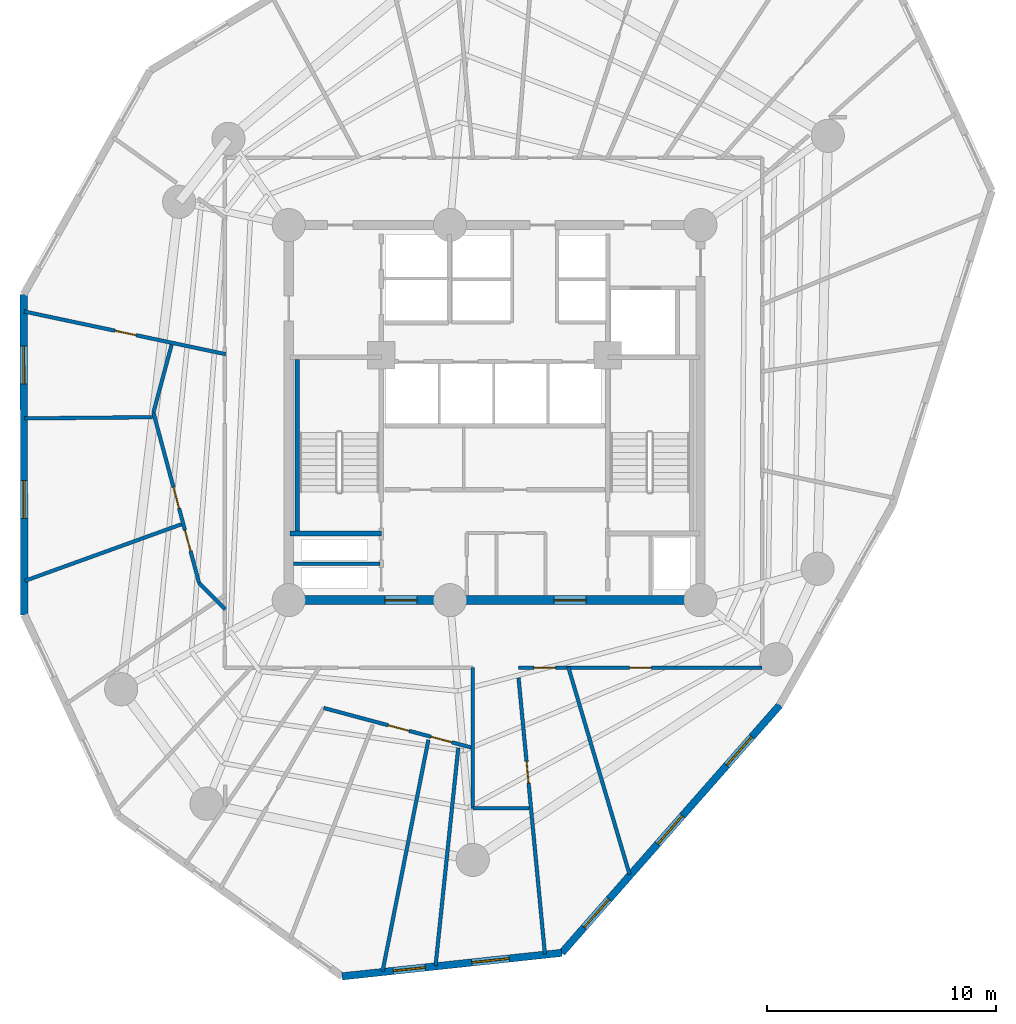
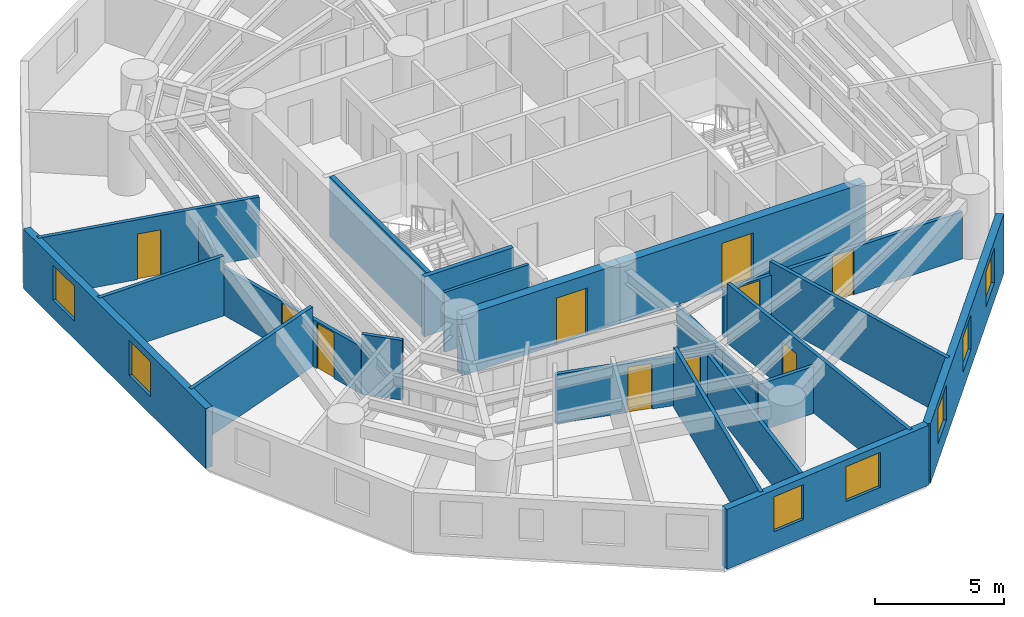
# One storey, part 3 of 8: 22 walls, 10 doors, 7 windows, 17 openings.
"""IFC4 building model written with IfcOpenShell, lengths in metres."""

from ifc_helpers import new_model, si_unit, direction, frame, frame_2d, origin, origin_with_axes, place, context, subcontext, project, spatial, rectangle, extrude, source, transform, mapped, material, layer, layer_set, type_object, element, fill, save


model = new_model("IFC4")

# Units and contexts
model_context = context("Model", 3, precision=1e-05, world=origin(), true_north=direction((0.0, 1.0)))
body_context = subcontext(model_context, "Body", "Model", "MODEL_VIEW")
ifc_project = project(units=[si_unit("LENGTHUNIT", "METRE"), si_unit("AREAUNIT", "SQUARE_METRE"), si_unit("VOLUMEUNIT", "CUBIC_METRE"), si_unit("PLANEANGLEUNIT", "RADIAN"), si_unit("MASSUNIT", "GRAM", prefix="KILO")], contexts=[model_context])

# Site, building, storey
site_placement = place(None, origin())
site = spatial("IfcSite", under=ifc_project, at=site_placement, CompositionType="ELEMENT")
building_placement = place(site_placement, origin())
building = spatial("IfcBuilding", under=site, at=building_placement, Name="Karkom Vertical University and Central Library", CompositionType="ELEMENT")
storey_placement = place(building_placement, frame((0.0, 0.0, 114.5)))
storey = spatial("IfcBuildingStorey", under=building, at=storey_placement, Name="L31", CompositionType="ELEMENT", Elevation=114.5)

# Wall, openings, windows
ifc_material_1 = material(Name="Brick-faced precast concrete C45/55", Category="masonry")
ifc_layer_1 = layer(ifc_material_1, 0.320068359375)
ifc_layer_set_1 = layer_set([ifc_layer_1], Name="Brick-faced precast concrete C45/55")
wall_type_1 = type_object("IfcWallType", Name="ENV-WL-BRK-320", PredefinedType="SOLIDWALL", material=ifc_layer_set_1)
wall_1_placement = place(storey_placement, frame((7.90869140625, 31.673095703125, 0.0), z_axis=(0.0, 0.0, 1.0), x_axis=(0.002160424256, -0.999997666281, 0.0)))
wall_1 = element("IfcWall", 1, at=wall_1_placement, inside=storey, type_object=wall_type_1, Name="Level 31 Brick-Faced Precast Facade Wall 02", PredefinedType="SOLIDWALL", context=body_context, shape_type="SweptSolid", body=[
    extrude(rectangle(XDim=14.0126953125, YDim=0.320068359375, at=frame_2d((7.00634765625, 0.0))), origin(), (0.0, 0.0, 1.0), 2.824951171875),
])
opening_1_placement = place(wall_1_placement, frame((2.268310546875, 0.0, 0.85009765625)))
opening_1 = element("IfcOpeningElement", 2, at=opening_1_placement, cuts=wall_1, Name="Opening WN-06", PredefinedType="OPENING", context=body_context, shape_type="SweptSolid", body=[
    extrude(rectangle(XDim=1.64990234375, YDim=1.64990234375, at=frame_2d((0.824951171875, 0.824951171875))), frame((0.0, 0.169921875, 0.0), z_axis=(0.0, -1.0, 0.0), x_axis=(1.0, 0.0, 0.0)), (0.0, 0.0, 1.0), 0.340087890625),
])
opening_2_placement = place(wall_1_placement, frame((8.146484375, 0.0, 0.85009765625)))
opening_2 = element("IfcOpeningElement", 3, at=opening_2_placement, cuts=wall_1, Name="Opening WN-06", PredefinedType="OPENING", context=body_context, shape_type="SweptSolid", body=[
    extrude(rectangle(XDim=1.64990234375, YDim=1.64990234375, at=frame_2d((0.824951171875, 0.824951171875))), frame((0.0, 0.169921875, 0.0), z_axis=(0.0, -1.0, 0.0), x_axis=(1.0, 0.0, 0.0)), (0.0, 0.0, 1.0), 0.340087890625),
])
ifc_material_2 = material(Name="Aluminium thermal-break frame with solar-control IGU", Category="aluminium")
window_type_1 = type_object("IfcWindowType", Name="ENV-WIN-WN-06", PartitioningType="SINGLE_PANEL", PredefinedType="WINDOW", material=ifc_material_2)
shared_shape_1 = source(origin_with_axes(), body_context, "Body", "SweptSolid", [
    extrude(rectangle(XDim=1.64990234375, YDim=1.64990234375, at=frame_2d((0.824951171875, 0.824951171875))), frame((0.0, 0.030029296875, 0.0), z_axis=(0.0, -1.0, 0.0), x_axis=(1.0, 0.0, 0.0)), (0.0, 0.0, 1.0), 0.06005859375),
])
window_1_placement = place(opening_1_placement, origin())
window_1 = element("IfcWindow", 4, at=window_1_placement, inside=storey, type_object=window_type_1, Name="Level 31 Punched Window 2.1", OverallHeight=1.64990234375, OverallWidth=1.64990234375, PartitioningType="SINGLE_PANEL", PredefinedType="WINDOW", context=body_context, shape_type="MappedRepresentation", body=[
    mapped(shared_shape_1, transform((0.0, 0.0, 0.0), scale=1.0)),
])
fill(opening_1, window_1)
window_2_placement = place(opening_2_placement, origin())
window_2 = element("IfcWindow", 5, at=window_2_placement, inside=storey, type_object=window_type_1, Name="Level 31 Punched Window 2.2", OverallHeight=1.64990234375, OverallWidth=1.64990234375, PartitioningType="SINGLE_PANEL", PredefinedType="WINDOW", context=body_context, shape_type="MappedRepresentation", body=[
    mapped(shared_shape_1, transform((0.0, 0.0, 0.0), scale=1.0)),
])
fill(opening_2, window_2)

wall_2_placement = place(storey_placement, frame((21.829345703125, 1.85009765625, 0.0), z_axis=(0.0, 0.0, 1.0), x_axis=(0.994341704726, 0.106228876691, 0.0)))
wall_2 = element("IfcWall", 6, at=wall_2_placement, inside=storey, type_object=wall_type_1, Name="Level 31 Brick-Faced Precast Facade Wall 05", PredefinedType="SOLIDWALL", context=body_context, shape_type="SweptSolid", body=[
    extrude(rectangle(XDim=9.661865234375, YDim=0.320068359375, at=frame_2d((4.8310546875, 0.0))), origin(), (0.0, 0.0, 1.0), 2.824951171875),
])
opening_3_placement = place(wall_2_placement, frame((2.259521484375, 0.0, 0.85009765625)))
opening_3 = element("IfcOpeningElement", 7, at=opening_3_placement, cuts=wall_2, Name="Opening WN-07", PredefinedType="OPENING", context=body_context, shape_type="SweptSolid", body=[
    extrude(rectangle(XDim=1.39990234375, YDim=1.64990234375, at=frame_2d((0.699951171875, 0.824951171875))), frame((0.0, 0.169921875, 0.0), z_axis=(0.0, -1.0, 0.0), x_axis=(1.0, 0.0, 0.0)), (0.0, 0.0, 1.0), 0.340087890625),
])
opening_4_placement = place(wall_2_placement, frame((5.69921875, 0.0, 0.85009765625)))
opening_4 = element("IfcOpeningElement", 8, at=opening_4_placement, cuts=wall_2, Name="Opening WN-06", PredefinedType="OPENING", context=body_context, shape_type="SweptSolid", body=[
    extrude(rectangle(XDim=1.64990234375, YDim=1.64990234375, at=frame_2d((0.824951171875, 0.824951171875))), frame((0.0, 0.169921875, 0.0), z_axis=(0.0, -1.0, 0.0), x_axis=(1.0, 0.0, 0.0)), (0.0, 0.0, 1.0), 0.340087890625),
])
window_3_placement = place(opening_4_placement, origin())
window_3 = element("IfcWindow", 9, at=window_3_placement, inside=storey, type_object=window_type_1, Name="Level 31 Punched Window 5.2", OverallHeight=1.64990234375, OverallWidth=1.64990234375, PartitioningType="SINGLE_PANEL", PredefinedType="WINDOW", context=body_context, shape_type="MappedRepresentation", body=[
    mapped(shared_shape_1, transform((0.0, 0.0, 0.0), scale=1.0)),
])
fill(opening_4, window_3)
window_type_2 = type_object("IfcWindowType", Name="ENV-WIN-WN-07", PartitioningType="SINGLE_PANEL", PredefinedType="WINDOW", material=ifc_material_2)
shared_shape_2 = source(origin_with_axes(), body_context, "Body", "SweptSolid", [
    extrude(rectangle(XDim=1.39990234375, YDim=1.64990234375, at=frame_2d((0.699951171875, 0.824951171875))), frame((0.0, 0.030029296875, 0.0), z_axis=(0.0, -1.0, 0.0), x_axis=(1.0, 0.0, 0.0)), (0.0, 0.0, 1.0), 0.06005859375),
])
window_4_placement = place(opening_3_placement, origin())
window_4 = element("IfcWindow", 10, at=window_4_placement, inside=storey, type_object=window_type_2, Name="Level 31 Punched Window 5.1", OverallHeight=1.64990234375, OverallWidth=1.39990234375, PartitioningType="SINGLE_PANEL", PredefinedType="WINDOW", context=body_context, shape_type="MappedRepresentation", body=[
    mapped(shared_shape_2, transform((0.0, 0.0, 0.0), scale=1.0)),
])
fill(opening_3, window_4)

wall_3_placement = place(storey_placement, frame((31.4365234375, 2.87646484375, 0.0), z_axis=(0.0, 0.0, 1.0), x_axis=(0.660573718375, 0.750761188789, 0.0)))
wall_3 = element("IfcWall", 11, at=wall_3_placement, inside=storey, type_object=wall_type_1, Name="Level 31 Brick-Faced Precast Facade Wall 06", PredefinedType="SOLIDWALL", context=body_context, shape_type="SweptSolid", body=[
    extrude(rectangle(XDim=14.42578125, YDim=0.320068359375, at=frame_2d((7.212890625, 0.0))), origin(), (0.0, 0.0, 1.0), 2.824951171875),
])
opening_5_placement = place(wall_3_placement, frame((1.47998046875, 0.0, 0.85009765625)))
opening_5 = element("IfcOpeningElement", 12, at=opening_5_placement, cuts=wall_3, Name="Opening WN-06", PredefinedType="OPENING", context=body_context, shape_type="SweptSolid", body=[
    extrude(rectangle(XDim=1.64990234375, YDim=1.64990234375, at=frame_2d((0.824951171875, 0.824951171875))), frame((0.0, 0.169921875, 0.0), z_axis=(0.0, -1.0, 0.0), x_axis=(1.0, 0.0, 0.0)), (0.0, 0.0, 1.0), 0.340087890625),
])
opening_6_placement = place(wall_3_placement, frame((6.3388671875, 0.0, 0.85009765625)))
opening_6 = element("IfcOpeningElement", 13, at=opening_6_placement, cuts=wall_3, Name="Opening WN-06", PredefinedType="OPENING", context=body_context, shape_type="SweptSolid", body=[
    extrude(rectangle(XDim=1.64990234375, YDim=1.64990234375, at=frame_2d((0.824951171875, 0.824951171875))), frame((0.0, 0.169921875, 0.0), z_axis=(0.0, -1.0, 0.0), x_axis=(1.0, 0.0, 0.0)), (0.0, 0.0, 1.0), 0.340087890625),
])
opening_7_placement = place(wall_3_placement, frame((10.927001953125, 0.0, 0.85009765625)))
opening_7 = element("IfcOpeningElement", 14, at=opening_7_placement, cuts=wall_3, Name="Opening WN-06", PredefinedType="OPENING", context=body_context, shape_type="SweptSolid", body=[
    extrude(rectangle(XDim=1.64990234375, YDim=1.64990234375, at=frame_2d((0.824951171875, 0.824951171875))), frame((0.0, 0.169921875, 0.0), z_axis=(0.0, -1.0, 0.0), x_axis=(1.0, 0.0, 0.0)), (0.0, 0.0, 1.0), 0.340087890625),
])
window_5_placement = place(opening_5_placement, origin())
window_5 = element("IfcWindow", 15, at=window_5_placement, inside=storey, type_object=window_type_1, Name="Level 31 Punched Window 6.1", OverallHeight=1.64990234375, OverallWidth=1.64990234375, PartitioningType="SINGLE_PANEL", PredefinedType="WINDOW", context=body_context, shape_type="MappedRepresentation", body=[
    mapped(shared_shape_1, transform((0.0, 0.0, 0.0), scale=1.0)),
])
fill(opening_5, window_5)
window_6_placement = place(opening_6_placement, origin())
window_6 = element("IfcWindow", 16, at=window_6_placement, inside=storey, type_object=window_type_1, Name="Level 31 Punched Window 6.2", OverallHeight=1.64990234375, OverallWidth=1.64990234375, PartitioningType="SINGLE_PANEL", PredefinedType="WINDOW", context=body_context, shape_type="MappedRepresentation", body=[
    mapped(shared_shape_1, transform((0.0, 0.0, 0.0), scale=1.0)),
])
fill(opening_6, window_6)
window_7_placement = place(opening_7_placement, origin())
window_7 = element("IfcWindow", 17, at=window_7_placement, inside=storey, type_object=window_type_1, Name="Level 31 Punched Window 6.3", OverallHeight=1.64990234375, OverallWidth=1.64990234375, PartitioningType="SINGLE_PANEL", PredefinedType="WINDOW", context=body_context, shape_type="MappedRepresentation", body=[
    mapped(shared_shape_1, transform((0.0, 0.0, 0.0), scale=1.0)),
])
fill(opening_7, window_7)

# Wall, opening, door
ifc_material_3 = material(Name="Insulated metal-stud drywall 160mm", Category="gypsum")
ifc_layer_2 = layer(ifc_material_3, 0.159912109375)
ifc_layer_set_2 = layer_set([ifc_layer_2], Name="Insulated metal-stud drywall 160mm")
wall_type_2 = type_object("IfcWallType", Name="INT-WL-COR-160", PredefinedType="PARTITIONING", material=ifc_layer_set_2)
wall_4_placement = place(storey_placement, frame((29.547119140625, 14.90478515625, 0.0), z_axis=(0.0, 0.0, 1.0), x_axis=(0.095067295009, -0.995470848101, 0.0)))
wall_4 = element("IfcWall", 18, at=wall_4_placement, inside=storey, type_object=wall_type_2, Name="Level 31 Interior Partition Wall L31-PW-020", PredefinedType="PARTITIONING", context=body_context, shape_type="SweptSolid", body=[
    extrude(rectangle(XDim=12.13671875, YDim=0.159912109375, at=frame_2d((6.068359375, 0.0))), origin(), (0.0, 0.0, 1.0), 2.824951171875),
])
opening_8_placement = place(wall_4_placement, frame((3.673583984375, 0.0, 0.0)))
opening_8 = element("IfcOpeningElement", 19, at=opening_8_placement, cuts=wall_4, Name="Opening D-RM1", PredefinedType="OPENING", context=body_context, shape_type="SweptSolid", body=[
    extrude(rectangle(XDim=0.949951171875, YDim=2.14990234375, at=frame_2d((0.47509765625, 1.074951171875))), frame((0.0, 0.08984375, 0.0), z_axis=(0.0, -1.0, 0.0), x_axis=(1.0, 0.0, 0.0)), (0.0, 0.0, 1.0), 0.179931640625),
])
ifc_material_4 = material(Name="Solid-core oak veneer door", Category="wood")
door_type_1 = type_object("IfcDoorType", Name="INT-DR-RM1", OperationType="NOTDEFINED", PredefinedType="DOOR", material=ifc_material_4)
shared_shape_3 = source(origin_with_axes(), body_context, "Body", "SweptSolid", [
    extrude(rectangle(XDim=0.949951171875, YDim=2.14990234375, at=frame_2d((0.47509765625, 1.074951171875))), frame((0.0, 0.02490234375, 0.0), z_axis=(0.0, -1.0, 0.0), x_axis=(1.0, 0.0, 0.0)), (0.0, 0.0, 1.0), 0.050048828125),
])
door_1_placement = place(opening_8_placement, origin())
door_1 = element("IfcDoor", 20, at=door_1_placement, inside=storey, type_object=door_type_1, Name="Level 31 Room Entry Door 090", OperationType="SINGLE_SWING_LEFT", OverallHeight=2.14990234375, OverallWidth=0.949951171875, PredefinedType="DOOR", context=body_context, shape_type="MappedRepresentation", body=[
    mapped(shared_shape_3, transform((0.0, 0.0, 0.0), scale=1.0)),
])
fill(opening_8, door_1)

# Wall, openings, doors
wall_5_placement = place(storey_placement, frame((40.199951171875, 15.35009765625, 0.0), z_axis=(0.0, 0.0, 1.0), x_axis=(-1.0, 0.0, 0.0)))
wall_5 = element("IfcWall", 21, at=wall_5_placement, inside=storey, type_object=wall_type_2, Name="Level 31 Interior Partition Wall L31-CORW-CW-005", PredefinedType="PARTITIONING", context=body_context, shape_type="SweptSolid", body=[
    extrude(rectangle(XDim=10.64990234375, YDim=0.159912109375, at=frame_2d((5.324951171875, 0.0))), origin(), (0.0, 0.0, 1.0), 2.22509765625),
])
opening_9_placement = place(wall_5_placement, frame((9.031494140625, 0.0, 0.0)))
opening_9 = element("IfcOpeningElement", 22, at=opening_9_placement, cuts=wall_5, Name="Opening D-RM1", PredefinedType="OPENING", context=body_context, shape_type="SweptSolid", body=[
    extrude(rectangle(XDim=0.949951171875, YDim=2.14990234375, at=frame_2d((0.47509765625, 1.074951171875))), frame((0.0, 0.08984375, 0.0), z_axis=(0.0, -1.0, 0.0), x_axis=(1.0, 0.0, 0.0)), (0.0, 0.0, 1.0), 0.179931640625),
])
opening_10_placement = place(wall_5_placement, frame((4.85009765625, 0.0, 0.0)))
opening_10 = element("IfcOpeningElement", 23, at=opening_10_placement, cuts=wall_5, Name="Opening D-RM1", PredefinedType="OPENING", context=body_context, shape_type="SweptSolid", body=[
    extrude(rectangle(XDim=0.949951171875, YDim=2.14990234375, at=frame_2d((0.47509765625, 1.074951171875))), frame((0.0, 0.08984375, 0.0), z_axis=(0.0, -1.0, 0.0), x_axis=(1.0, 0.0, 0.0)), (0.0, 0.0, 1.0), 0.179931640625),
])
door_2_placement = place(opening_9_placement, origin())
door_2 = element("IfcDoor", 24, at=door_2_placement, inside=storey, type_object=door_type_1, Name="Level 31 Room Entry Door 100", OperationType="SINGLE_SWING_RIGHT", OverallHeight=2.14990234375, OverallWidth=0.949951171875, PredefinedType="DOOR", context=body_context, shape_type="MappedRepresentation", body=[
    mapped(shared_shape_3, transform((0.0, 0.0, 0.0), scale=1.0)),
])
fill(opening_9, door_2)
door_3_placement = place(opening_10_placement, origin())
door_3 = element("IfcDoor", 25, at=door_3_placement, inside=storey, type_object=door_type_1, Name="Level 31 Room Entry Door 110", OperationType="SINGLE_SWING_LEFT", OverallHeight=2.14990234375, OverallWidth=0.949951171875, PredefinedType="DOOR", context=body_context, shape_type="MappedRepresentation", body=[
    mapped(shared_shape_3, transform((0.0, 0.0, 0.0), scale=1.0)),
])
fill(opening_10, door_3)

# Walls
wall_6_placement = place(storey_placement, frame((25.6064453125, 12.192626953125, 0.0), z_axis=(0.0, 0.0, 1.0), x_axis=(-0.194214432594, -0.980959099133, 0.0)))
element("IfcWall", 26, at=wall_6_placement, inside=storey, type_object=wall_type_2, Name="Level 31 Interior Partition Wall L31-PW-017", PredefinedType="PARTITIONING", context=body_context, shape_type="SweptSolid", body=[
    extrude(rectangle(XDim=10.32177734375, YDim=0.159912109375, at=frame_2d((5.160888671875, 0.0))), origin(), (0.0, 0.0, 1.0), 2.824951171875),
])
wall_7_placement = place(storey_placement, frame((26.911865234375, 11.8427734375, 0.0), z_axis=(0.0, 0.0, 1.0), x_axis=(-0.103660702417, -0.994612717983, 0.0)))
element("IfcWall", 27, at=wall_7_placement, inside=storey, type_object=wall_type_2, Name="Level 31 Interior Partition Wall L31-PW-018", PredefinedType="PARTITIONING", context=body_context, shape_type="SweptSolid", body=[
    extrude(rectangle(XDim=9.580810546875, YDim=0.159912109375, at=frame_2d((4.79052734375, 0.0))), origin(), (0.0, 0.0, 1.0), 2.22509765625),
])
wall_8_placement = place(storey_placement, frame((31.722412109375, 15.37890625, 0.0), z_axis=(0.0, 0.0, 1.0), x_axis=(0.283244237684, -0.959047809975, 0.0)))
element("IfcWall", 28, at=wall_8_placement, inside=storey, type_object=wall_type_2, Name="Level 31 Interior Partition Wall L31-PW-021", PredefinedType="PARTITIONING", context=body_context, shape_type="SweptSolid", body=[
    extrude(rectangle(XDim=9.465087890625, YDim=0.159912109375, at=frame_2d((4.732421875, 0.0))), origin(), (0.0, 0.0, 1.0), 2.824951171875),
])

# Wall, opening, door
wall_9_placement = place(storey_placement, frame((16.743896484375, 29.053466796875, 0.0), z_axis=(0.0, 0.0, 1.0), x_axis=(-0.978257637978, 0.207393330984, 0.0)))
wall_9 = element("IfcWall", 29, at=wall_9_placement, inside=storey, type_object=wall_type_2, Name="Level 31 Interior Partition Wall L31-PW-039", PredefinedType="PARTITIONING", context=body_context, shape_type="SweptSolid", body=[
    extrude(rectangle(XDim=9.003173828125, YDim=0.159912109375, at=frame_2d((4.50146484375, 0.0))), origin(), (0.0, 0.0, 1.0), 2.824951171875),
])
opening_11_placement = place(wall_9_placement, frame((4.00146484375, 0.0, 0.0)))
opening_11 = element("IfcOpeningElement", 30, at=opening_11_placement, cuts=wall_9, Name="Opening D-RM1", PredefinedType="OPENING", context=body_context, shape_type="SweptSolid", body=[
    extrude(rectangle(XDim=0.949951171875, YDim=2.14990234375, at=frame_2d((0.47509765625, 1.074951171875))), frame((0.0, 0.08984375, 0.0), z_axis=(0.0, -1.0, 0.0), x_axis=(1.0, 0.0, 0.0)), (0.0, 0.0, 1.0), 0.179931640625),
])
door_4_placement = place(opening_11_placement, origin())
door_4 = element("IfcDoor", 31, at=door_4_placement, inside=storey, type_object=door_type_1, Name="Level 31 Room Entry Door 270", OperationType="SINGLE_SWING_RIGHT", OverallHeight=2.14990234375, OverallWidth=0.949951171875, PredefinedType="DOOR", context=body_context, shape_type="MappedRepresentation", body=[
    mapped(shared_shape_3, transform((0.0, 0.0, 0.0), scale=1.0)),
])
fill(opening_11, door_4)

# Wall, openings, doors
wall_10_placement = place(storey_placement, frame((15.581298828125, 19.04150390625, 0.0), z_axis=(0.0, 0.0, 1.0), x_axis=(-0.258823534126, 0.965924623448, 0.0)))
wall_10 = element("IfcWall", 32, at=wall_10_placement, inside=storey, type_object=wall_type_2, Name="Level 31 Interior Partition Wall L31-PW-001", PredefinedType="PARTITIONING", context=body_context, shape_type="SweptSolid", body=[
    extrude(rectangle(XDim=7.7216796875, YDim=0.159912109375, at=frame_2d((3.86083984375, 0.0))), origin(), (0.0, 0.0, 1.0), 2.22509765625),
])
opening_12_placement = place(wall_10_placement, frame((3.3857421875, 0.0, 0.0)))
opening_12 = element("IfcOpeningElement", 33, at=opening_12_placement, cuts=wall_10, Name="Opening FD-RM2", PredefinedType="OPENING", context=body_context, shape_type="SweptSolid", body=[
    extrude(rectangle(XDim=0.9599609375, YDim=2.14990234375, at=frame_2d((0.47998046875, 1.074951171875))), frame((0.0, 0.08984375, 0.0), z_axis=(0.0, -1.0, 0.0), x_axis=(1.0, 0.0, 0.0)), (0.0, 0.0, 1.0), 0.179931640625),
])
opening_13_placement = place(wall_10_placement, frame((1.455322265625, 0.0, 0.0)))
opening_13 = element("IfcOpeningElement", 34, at=opening_13_placement, cuts=wall_10, Name="Opening D-RM1", PredefinedType="OPENING", context=body_context, shape_type="SweptSolid", body=[
    extrude(rectangle(XDim=0.949951171875, YDim=2.14990234375, at=frame_2d((0.47509765625, 1.074951171875))), frame((0.0, 0.08984375, 0.0), z_axis=(0.0, -1.0, 0.0), x_axis=(1.0, 0.0, 0.0)), (0.0, 0.0, 1.0), 0.179931640625),
])
ifc_material_5 = material(Name="Fire-rated oak veneer door", Category="wood")
door_type_2 = type_object("IfcDoorType", Name="INT-DR-FRM2", OperationType="NOTDEFINED", PredefinedType="DOOR", material=ifc_material_5)
shared_shape_4 = source(origin_with_axes(), body_context, "Body", "SweptSolid", [
    extrude(rectangle(XDim=0.9599609375, YDim=2.14990234375, at=frame_2d((0.47998046875, 1.074951171875))), frame((0.0, 0.02490234375, 0.0), z_axis=(0.0, -1.0, 0.0), x_axis=(1.0, 0.0, 0.0)), (0.0, 0.0, 1.0), 0.050048828125),
])
door_5_placement = place(opening_12_placement, origin())
door_5 = element("IfcDoor", 35, at=door_5_placement, inside=storey, type_object=door_type_2, Name="Level 31 Room Entry Door 010", OperationType="SINGLE_SWING_LEFT", OverallHeight=2.14990234375, OverallWidth=0.9599609375, PredefinedType="DOOR", context=body_context, shape_type="MappedRepresentation", body=[
    mapped(shared_shape_4, transform((0.0, 0.0, 0.0), scale=1.0)),
])
fill(opening_12, door_5)
door_6_placement = place(opening_13_placement, origin())
door_6 = element("IfcDoor", 36, at=door_6_placement, inside=storey, type_object=door_type_1, Name="Level 31 Room Entry Door 020", OperationType="SINGLE_SWING_RIGHT", OverallHeight=2.14990234375, OverallWidth=0.949951171875, PredefinedType="DOOR", context=body_context, shape_type="MappedRepresentation", body=[
    mapped(shared_shape_3, transform((0.0, 0.0, 0.0), scale=1.0)),
])
fill(opening_13, door_6)

# Wall
wall_11_placement = place(storey_placement, frame((14.8017578125, 21.614990234375, 0.0), z_axis=(0.0, 0.0, 1.0), x_axis=(-0.940496374857, -0.339803721112, 0.0)))
element("IfcWall", 37, at=wall_11_placement, inside=storey, type_object=wall_type_2, Name="Level 31 Interior Partition Wall L31-PW-005", PredefinedType="PARTITIONING", context=body_context, shape_type="SweptSolid", body=[
    extrude(rectangle(XDim=7.270263671875, YDim=0.159912109375, at=frame_2d((3.63525390625, 0.0))), origin(), (0.0, 0.0, 1.0), 2.824951171875),
])

# Wall, openings, doors
wall_12_placement = place(storey_placement, frame((27.5791015625, 11.82958984375, 0.0), z_axis=(0.0, 0.0, 1.0), x_axis=(-0.96592234089, 0.258832052437, 0.0)))
wall_12 = element("IfcWall", 38, at=wall_12_placement, inside=storey, type_object=wall_type_2, Name="Level 31 Interior Partition Wall L31-PW-014", PredefinedType="PARTITIONING", context=body_context, shape_type="SweptSolid", body=[
    extrude(rectangle(XDim=6.781982421875, YDim=0.159912109375, at=frame_2d((3.39111328125, 0.0))), origin(), (0.0, 0.0, 1.0), 2.324951171875),
])
opening_14_placement = place(wall_12_placement, frame((2.916015625, 0.0, 0.0)))
opening_14 = element("IfcOpeningElement", 39, at=opening_14_placement, cuts=wall_12, Name="Opening D-RM1", PredefinedType="OPENING", context=body_context, shape_type="SweptSolid", body=[
    extrude(rectangle(XDim=0.949951171875, YDim=2.14990234375, at=frame_2d((0.47509765625, 1.074951171875))), frame((0.0, 0.08984375, 0.0), z_axis=(0.0, -1.0, 0.0), x_axis=(1.0, 0.0, 0.0)), (0.0, 0.0, 1.0), 0.179931640625),
])
opening_15_placement = place(wall_12_placement, frame((0.98046875, 0.0, 0.0)))
opening_15 = element("IfcOpeningElement", 40, at=opening_15_placement, cuts=wall_12, Name="Opening D-RM1", PredefinedType="OPENING", context=body_context, shape_type="SweptSolid", body=[
    extrude(rectangle(XDim=0.949951171875, YDim=2.14990234375, at=frame_2d((0.47509765625, 1.074951171875))), frame((0.0, 0.08984375, 0.0), z_axis=(0.0, -1.0, 0.0), x_axis=(1.0, 0.0, 0.0)), (0.0, 0.0, 1.0), 0.179931640625),
])
door_7_placement = place(opening_14_placement, origin())
door_7 = element("IfcDoor", 41, at=door_7_placement, inside=storey, type_object=door_type_1, Name="Level 31 Room Entry Door 070", OperationType="SINGLE_SWING_RIGHT", OverallHeight=2.14990234375, OverallWidth=0.949951171875, PredefinedType="DOOR", context=body_context, shape_type="MappedRepresentation", body=[
    mapped(shared_shape_3, transform((0.0, 0.0, 0.0), scale=1.0)),
])
fill(opening_14, door_7)
door_8_placement = place(opening_15_placement, origin())
door_8 = element("IfcDoor", 42, at=door_8_placement, inside=storey, type_object=door_type_1, Name="Level 31 Room Entry Door 080", OperationType="SINGLE_SWING_LEFT", OverallHeight=2.14990234375, OverallWidth=0.949951171875, PredefinedType="DOOR", context=body_context, shape_type="MappedRepresentation", body=[
    mapped(shared_shape_3, transform((0.0, 0.0, 0.0), scale=1.0)),
])
fill(opening_15, door_8)

# Walls
wall_13_placement = place(storey_placement, frame((27.550048828125, 9.199951171875, 0.0), z_axis=(0.0, 0.0, 1.0), x_axis=(0.0, 1.0, 0.0)))
element("IfcWall", 43, at=wall_13_placement, inside=storey, type_object=wall_type_2, Name="Level 31 Interior Partition Wall L31-CORW-CW-008", PredefinedType="PARTITIONING", context=body_context, shape_type="SweptSolid", body=[
    extrude(rectangle(XDim=6.150146484375, YDim=0.159912109375, at=frame_2d((3.0751953125, 0.0))), origin(), (0.0, 0.0, 1.0), 2.22509765625),
])
wall_14_placement = place(storey_placement, frame((7.9453125, 26.246337890625, 0.0), z_axis=(0.0, 0.0, 1.0), x_axis=(0.999955692982, 0.009413398548, 0.0)))
element("IfcWall", 44, at=wall_14_placement, inside=storey, type_object=wall_type_2, Name="Level 31 Interior Partition Wall L31-PW-006", PredefinedType="PARTITIONING", context=body_context, shape_type="SweptSolid", body=[
    extrude(rectangle(XDim=5.60205078125, YDim=0.159912109375, at=frame_2d((2.801025390625, 0.0))), origin(), (0.0, 0.0, 1.0), 2.824951171875),
])
wall_15_placement = place(storey_placement, frame((13.582763671875, 26.5, 0.0), z_axis=(0.0, 0.0, 1.0), x_axis=(0.258849998641, 0.965917531782, 0.0)))
element("IfcWall", 45, at=wall_15_placement, inside=storey, type_object=wall_type_2, Name="Level 31 Interior Partition Wall L31-PW-004", PredefinedType="PARTITIONING", context=body_context, shape_type="SweptSolid", body=[
    extrude(rectangle(XDim=3.071044921875, YDim=0.159912109375, at=frame_2d((1.53564453125, 0.0))), origin(), (0.0, 0.0, 1.0), 2.22509765625),
])
wall_16_placement = place(storey_placement, frame((30.004638671875, 9.199951171875, 0.0), z_axis=(0.0, 0.0, 1.0), x_axis=(-1.0, 0.0, 0.0)))
element("IfcWall", 46, at=wall_16_placement, inside=storey, type_object=wall_type_2, Name="Level 31 Interior Partition Wall L31-CORW-CW-007", PredefinedType="PARTITIONING", context=body_context, shape_type="SweptSolid", body=[
    extrude(rectangle(XDim=2.45458984375, YDim=0.159912109375, at=frame_2d((1.227294921875, 0.0))), origin(), (0.0, 0.0, 1.0), 2.22509765625),
])
wall_17_placement = place(storey_placement, frame((16.731689453125, 17.890869140625, 0.0), z_axis=(0.0, 0.0, 1.0), x_axis=(-0.707031752615, 0.707181801798, 0.0)))
element("IfcWall", 47, at=wall_17_placement, inside=storey, type_object=wall_type_2, Name="Level 31 Interior Partition Wall L31-PW-002", PredefinedType="PARTITIONING", context=body_context, shape_type="SweptSolid", body=[
    extrude(rectangle(XDim=1.626953125, YDim=0.159912109375, at=frame_2d((0.8134765625, 0.0))), origin(), (0.0, 0.0, 1.0), 2.824951171875),
])
ifc_material_6 = material(Name="Metal-stud gypsum partition 140mm", Category="gypsum")
ifc_layer_3 = layer(ifc_material_6, 0.139892578125)
ifc_layer_set_3 = layer_set([ifc_layer_3], Name="Metal-stud gypsum partition 140mm")
wall_type_3 = type_object("IfcWallType", Name="INT-WL-SUB-140H", PredefinedType="PARTITIONING", material=ifc_layer_set_3)
wall_18_placement = place(storey_placement, frame((19.70703125, 19.889892578125, 0.0), z_axis=(0.0, 0.0, 1.0), x_axis=(1.0, 0.0, 0.0)))
element("IfcWall", 48, at=wall_18_placement, inside=storey, type_object=wall_type_3, Name="Level 31 Interior Partition Wall L31-CW-RIS-W", PredefinedType="PARTITIONING", context=body_context, shape_type="SweptSolid", body=[
    extrude(rectangle(XDim=3.789794921875, YDim=0.139892578125, at=frame_2d((1.89501953125, 0.0))), origin(), (0.0, 0.0, 1.0), 2.824951171875),
])

# Wall, opening, door
ifc_material_7 = material(Name="Concrete C50/60", Category="concrete")
ifc_layer_4 = layer(ifc_material_7, 0.39990234375)
ifc_layer_set_4 = layer_set([ifc_layer_4], Name="Concrete C50/60")
wall_type_4 = type_object("IfcWallType", Name="STR-WL-CW-400", PredefinedType="SHEAR", material=ifc_layer_set_4)
wall_19_placement = place(storey_placement, frame((19.5, 18.300048828125, 0.0), z_axis=(0.0, 0.0, 1.0), x_axis=(1.0, 0.0, 0.0)))
wall_19 = element("IfcWall", 49, at=wall_19_placement, inside=storey, type_object=wall_type_4, Name="Level 31 Central Core Shear Wall SW1", PredefinedType="SHEAR", context=body_context, shape_type="SweptSolid", body=[
    extrude(rectangle(XDim=7.050048828125, YDim=0.39990234375, at=frame_2d((3.52490234375, 0.0))), origin(), (0.0, 0.0, 1.0), 2.824951171875),
])
opening_16_placement = place(wall_19_placement, frame((4.199951171875, 0.0, 0.0)))
opening_16 = element("IfcOpeningElement", 50, at=opening_16_placement, cuts=wall_19, Name="Opening FD-CLB", PredefinedType="OPENING", context=body_context, shape_type="SweptSolid", body=[
    extrude(rectangle(XDim=1.39990234375, YDim=2.199951171875, at=frame_2d((0.699951171875, 1.10009765625))), frame((0.0, 0.2099609375, 0.0), z_axis=(0.0, -1.0, 0.0), x_axis=(1.0, 0.0, 0.0)), (0.0, 0.0, 1.0), 0.419921875),
])
ifc_material_8 = material(Name="Painted steel fire door", Category="steel")
door_type_3 = type_object("IfcDoorType", Name="INT-DR-CLB", OperationType="DOUBLE_DOOR_SINGLE_SWING", PredefinedType="DOOR", material=ifc_material_8)
shared_shape_5 = source(origin_with_axes(), body_context, "Body", "SweptSolid", [
    extrude(rectangle(XDim=1.39990234375, YDim=2.199951171875, at=frame_2d((0.699951171875, 1.10009765625))), frame((0.0, 0.02490234375, 0.0), z_axis=(0.0, -1.0, 0.0), x_axis=(1.0, 0.0, 0.0)), (0.0, 0.0, 1.0), 0.050048828125),
])
door_9_placement = place(opening_16_placement, origin())
door_9 = element("IfcDoor", 51, at=door_9_placement, inside=storey, type_object=door_type_3, Name="Level 31 South Core Lobby West Exit Door", OperationType="DOUBLE_DOOR_SINGLE_SWING", OverallHeight=2.199951171875, OverallWidth=1.39990234375, PredefinedType="DOOR", context=body_context, shape_type="MappedRepresentation", body=[
    mapped(shared_shape_5, transform((0.0, 0.0, 0.0), scale=1.0)),
])
fill(opening_16, door_9)

wall_20_placement = place(storey_placement, frame((26.550048828125, 18.300048828125, 0.0), z_axis=(0.0, 0.0, 1.0), x_axis=(1.0, 0.0, 0.0)))
wall_20 = element("IfcWall", 52, at=wall_20_placement, inside=storey, type_object=wall_type_4, Name="Level 31 Central Core Shear Wall SW2", PredefinedType="SHEAR", context=body_context, shape_type="SweptSolid", body=[
    extrude(rectangle(XDim=10.949951171875, YDim=0.39990234375, at=frame_2d((5.47509765625, 0.0))), origin(), (0.0, 0.0, 1.0), 2.824951171875),
])
opening_17_placement = place(wall_20_placement, frame((4.550048828125, 0.0, 0.0)))
opening_17 = element("IfcOpeningElement", 53, at=opening_17_placement, cuts=wall_20, Name="Opening FD-CLB", PredefinedType="OPENING", context=body_context, shape_type="SweptSolid", body=[
    extrude(rectangle(XDim=1.39990234375, YDim=2.199951171875, at=frame_2d((0.699951171875, 1.10009765625))), frame((0.0, 0.2099609375, 0.0), z_axis=(0.0, -1.0, 0.0), x_axis=(1.0, 0.0, 0.0)), (0.0, 0.0, 1.0), 0.419921875),
])
door_10_placement = place(opening_17_placement, origin())
door_10 = element("IfcDoor", 54, at=door_10_placement, inside=storey, type_object=door_type_3, Name="Level 31 South Core Lobby East Exit Door", OperationType="DOUBLE_DOOR_SINGLE_SWING", OverallHeight=2.199951171875, OverallWidth=1.39990234375, PredefinedType="DOOR", context=body_context, shape_type="MappedRepresentation", body=[
    mapped(shared_shape_5, transform((0.0, 0.0, 0.0), scale=1.0)),
])
fill(opening_17, door_10)

# Walls
ifc_material_9 = material(Name="Concrete C45/55", Category="concrete")
ifc_layer_5 = layer(ifc_material_9, 0.199951171875)
ifc_layer_set_5 = layer_set([ifc_layer_5], Name="Concrete C45/55")
wall_type_5 = type_object("IfcWallType", Name="STR-WL-ST-200", PredefinedType="SHEAR", material=ifc_layer_set_5)
wall_21_placement = place(storey_placement, frame((19.875, 21.320068359375, 0.0), z_axis=(0.0, 0.0, 1.0), x_axis=(0.0, 1.0, 0.0)))
element("IfcWall", 55, at=wall_21_placement, inside=storey, type_object=wall_type_5, Name="Level 31 Core Shaft Wall L31-CW-ST1-W", PredefinedType="SHEAR", context=body_context, shape_type="SweptSolid", body=[
    extrude(rectangle(XDim=7.5, YDim=0.199951171875, at=frame_2d((3.75, 0.0))), origin(), (0.0, 0.0, 1.0), 2.824951171875),
])
wall_22_placement = place(storey_placement, frame((19.550048828125, 21.215087890625, 0.0), z_axis=(0.0, 0.0, 1.0), x_axis=(1.0, 0.0, 0.0)))
element("IfcWall", 56, at=wall_22_placement, inside=storey, type_object=wall_type_5, Name="Level 31 Core Shaft Wall L31-CW-ST1-S", PredefinedType="SHEAR", context=body_context, shape_type="SweptSolid", body=[
    extrude(rectangle(XDim=3.994873046875, YDim=0.199951171875, at=frame_2d((1.99755859375, 0.0))), origin(), (0.0, 0.0, 1.0), 2.824951171875),
])

save(model, "model.ifc")
